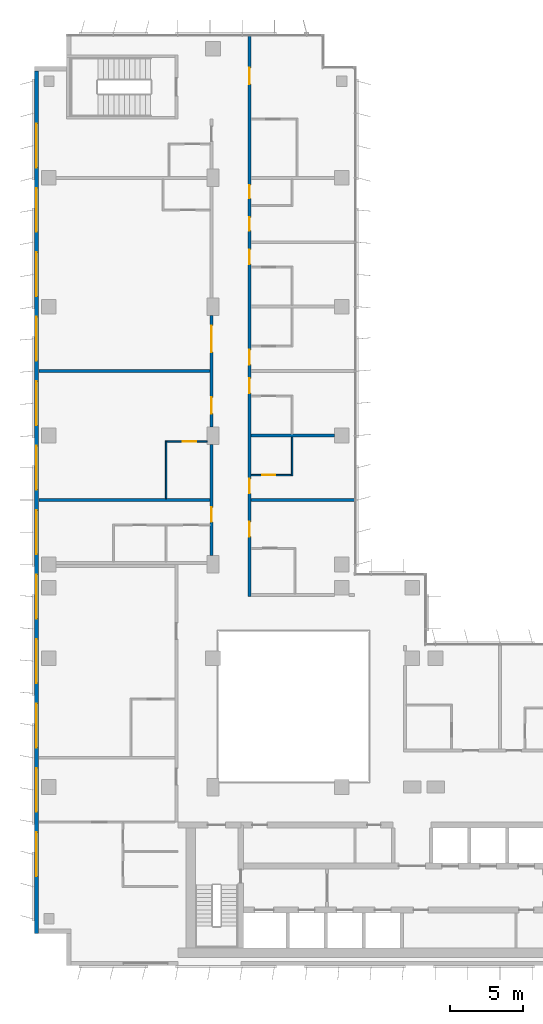
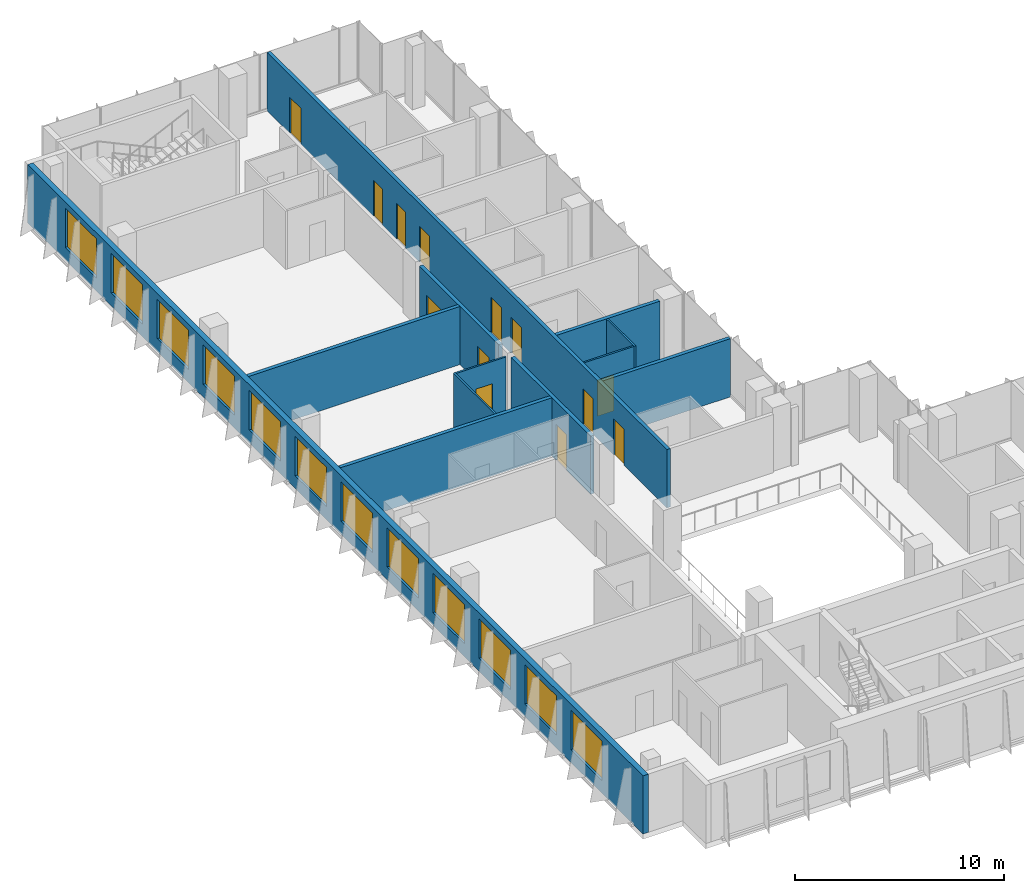
# One storey, part 16 of 21: 13 doors, 12 walls, 12 windows, 25 openings.
"""IFC4 building model written with IfcOpenShell, lengths in metres."""

from ifc_helpers import new_model, si_unit, direction, frame, frame_2d, origin, place, context, subcontext, project, spatial, rectangle, extrude, material, layer, layer_set, type_object, element, fill, save


model = new_model("IFC4")

# Units and contexts
model_context = context("Model", 3, precision=1e-05, world=origin(), true_north=direction((0.0, 1.0)))
body_context = subcontext(model_context, "Body", "Model", "MODEL_VIEW")
ifc_project = project(units=[si_unit("LENGTHUNIT", "METRE"), si_unit("AREAUNIT", "SQUARE_METRE"), si_unit("VOLUMEUNIT", "CUBIC_METRE"), si_unit("PLANEANGLEUNIT", "RADIAN"), si_unit("MASSUNIT", "GRAM", prefix="KILO")], contexts=[model_context])

# Site, building, storey
site_placement = place(None, origin())
site = spatial("IfcSite", under=ifc_project, at=site_placement, CompositionType="ELEMENT")
building_placement = place(site_placement, origin())
building = spatial("IfcBuilding", under=site, at=building_placement, Name="Kemantara Hotel Tower", CompositionType="ELEMENT")
storey_placement = place(building_placement, frame((0.0, 0.0, 215.39990234375)))
storey = spatial("IfcBuildingStorey", under=building, at=storey_placement, Name="L53", CompositionType="ELEMENT", Elevation=215.39990234375)

# Wall, openings, windows
ifc_material_1 = material(Name="Bronze anodised aluminium cladding on insulated steel stud wall", Category="steel")
ifc_layer_1 = layer(ifc_material_1, 0.300048828125)
ifc_layer_set_1 = layer_set([ifc_layer_1], Name="Bronze anodised aluminium cladding on insulated steel stud wall")
wall_type_1 = type_object("IfcWallType", Name="BRONZE METAL-CLAD EXTERNAL WALL 300", PredefinedType="STANDARD", material=ifc_layer_set_1)
wall_1_placement = place(storey_placement, frame((0.14990234375, 61.10009765625, 0.0), z_axis=(0.0, 0.0, 1.0), x_axis=(0.0, -1.0, 0.0)))
wall_1 = element("IfcWall", 1, at=wall_1_placement, inside=storey, type_object=wall_type_1, Name="EXTERNAL WALL L53 T3-R05", PredefinedType="STANDARD", context=body_context, shape_type="SweptSolid", body=[
    extrude(rectangle(XDim=58.900146484375, YDim=0.300048828125, at=frame_2d((29.4501953125, 0.0))), origin(), (0.0, 0.0, 1.0), 3.400146484375),
])
opening_1_placement = place(wall_1_placement, frame((3.60009765625, 0.0, 0.75)))
opening_1 = element("IfcOpeningElement", 2, at=opening_1_placement, cuts=wall_1, Name="Opening W1", PredefinedType="OPENING", context=body_context, shape_type="SweptSolid", body=[
    extrude(rectangle(XDim=3.0, YDim=2.300048828125, at=frame_2d((1.5, 1.14990234375))), frame((0.0, 0.159912109375, 0.0), z_axis=(0.0, -1.0, 0.0), x_axis=(1.0, 0.0, 0.0)), (0.0, 0.0, 1.0), 0.320068359375),
])
opening_2_placement = place(wall_1_placement, frame((8.0, 0.0, 0.75)))
opening_2 = element("IfcOpeningElement", 3, at=opening_2_placement, cuts=wall_1, Name="Opening W1", PredefinedType="OPENING", context=body_context, shape_type="SweptSolid", body=[
    extrude(rectangle(XDim=3.0, YDim=2.300048828125, at=frame_2d((1.5, 1.14990234375))), frame((0.0, 0.159912109375, 0.0), z_axis=(0.0, -1.0, 0.0), x_axis=(1.0, 0.0, 0.0)), (0.0, 0.0, 1.0), 0.320068359375),
])
opening_3_placement = place(wall_1_placement, frame((12.39990234375, 0.0, 0.75)))
opening_3 = element("IfcOpeningElement", 4, at=opening_3_placement, cuts=wall_1, Name="Opening W1", PredefinedType="OPENING", context=body_context, shape_type="SweptSolid", body=[
    extrude(rectangle(XDim=3.0, YDim=2.300048828125, at=frame_2d((1.5, 1.14990234375))), frame((0.0, 0.159912109375, 0.0), z_axis=(0.0, -1.0, 0.0), x_axis=(1.0, 0.0, 0.0)), (0.0, 0.0, 1.0), 0.320068359375),
])
opening_4_placement = place(wall_1_placement, frame((16.800048828125, 0.0, 0.75)))
opening_4 = element("IfcOpeningElement", 5, at=opening_4_placement, cuts=wall_1, Name="Opening W1", PredefinedType="OPENING", context=body_context, shape_type="SweptSolid", body=[
    extrude(rectangle(XDim=3.0, YDim=2.300048828125, at=frame_2d((1.5, 1.14990234375))), frame((0.0, 0.159912109375, 0.0), z_axis=(0.0, -1.0, 0.0), x_axis=(1.0, 0.0, 0.0)), (0.0, 0.0, 1.0), 0.320068359375),
])
opening_5_placement = place(wall_1_placement, frame((21.199951171875, 0.0, 0.75)))
opening_5 = element("IfcOpeningElement", 6, at=opening_5_placement, cuts=wall_1, Name="Opening W1", PredefinedType="OPENING", context=body_context, shape_type="SweptSolid", body=[
    extrude(rectangle(XDim=3.0, YDim=2.300048828125, at=frame_2d((1.5, 1.14990234375))), frame((0.0, 0.159912109375, 0.0), z_axis=(0.0, -1.0, 0.0), x_axis=(1.0, 0.0, 0.0)), (0.0, 0.0, 1.0), 0.320068359375),
])
opening_6_placement = place(wall_1_placement, frame((25.60009765625, 0.0, 0.75)))
opening_6 = element("IfcOpeningElement", 7, at=opening_6_placement, cuts=wall_1, Name="Opening W1", PredefinedType="OPENING", context=body_context, shape_type="SweptSolid", body=[
    extrude(rectangle(XDim=3.0, YDim=2.300048828125, at=frame_2d((1.5, 1.14990234375))), frame((0.0, 0.159912109375, 0.0), z_axis=(0.0, -1.0, 0.0), x_axis=(1.0, 0.0, 0.0)), (0.0, 0.0, 1.0), 0.320068359375),
])
opening_7_placement = place(wall_1_placement, frame((30.0, 0.0, 0.75)))
opening_7 = element("IfcOpeningElement", 8, at=opening_7_placement, cuts=wall_1, Name="Opening W1", PredefinedType="OPENING", context=body_context, shape_type="SweptSolid", body=[
    extrude(rectangle(XDim=3.0, YDim=2.300048828125, at=frame_2d((1.5, 1.14990234375))), frame((0.0, 0.159912109375, 0.0), z_axis=(0.0, -1.0, 0.0), x_axis=(1.0, 0.0, 0.0)), (0.0, 0.0, 1.0), 0.320068359375),
])
opening_8_placement = place(wall_1_placement, frame((34.39990234375, 0.0, 0.75)))
opening_8 = element("IfcOpeningElement", 9, at=opening_8_placement, cuts=wall_1, Name="Opening W1", PredefinedType="OPENING", context=body_context, shape_type="SweptSolid", body=[
    extrude(rectangle(XDim=3.0, YDim=2.300048828125, at=frame_2d((1.5, 1.14990234375))), frame((0.0, 0.159912109375, 0.0), z_axis=(0.0, -1.0, 0.0), x_axis=(1.0, 0.0, 0.0)), (0.0, 0.0, 1.0), 0.320068359375),
])
opening_9_placement = place(wall_1_placement, frame((38.800048828125, 0.0, 0.75)))
opening_9 = element("IfcOpeningElement", 10, at=opening_9_placement, cuts=wall_1, Name="Opening W1", PredefinedType="OPENING", context=body_context, shape_type="SweptSolid", body=[
    extrude(rectangle(XDim=3.0, YDim=2.300048828125, at=frame_2d((1.5, 1.14990234375))), frame((0.0, 0.159912109375, 0.0), z_axis=(0.0, -1.0, 0.0), x_axis=(1.0, 0.0, 0.0)), (0.0, 0.0, 1.0), 0.320068359375),
])
opening_10_placement = place(wall_1_placement, frame((43.199951171875, 0.0, 0.75)))
opening_10 = element("IfcOpeningElement", 11, at=opening_10_placement, cuts=wall_1, Name="Opening W1", PredefinedType="OPENING", context=body_context, shape_type="SweptSolid", body=[
    extrude(rectangle(XDim=3.0, YDim=2.300048828125, at=frame_2d((1.5, 1.14990234375))), frame((0.0, 0.159912109375, 0.0), z_axis=(0.0, -1.0, 0.0), x_axis=(1.0, 0.0, 0.0)), (0.0, 0.0, 1.0), 0.320068359375),
])
opening_11_placement = place(wall_1_placement, frame((47.60009765625, 0.0, 0.75)))
opening_11 = element("IfcOpeningElement", 12, at=opening_11_placement, cuts=wall_1, Name="Opening W1", PredefinedType="OPENING", context=body_context, shape_type="SweptSolid", body=[
    extrude(rectangle(XDim=3.0, YDim=2.300048828125, at=frame_2d((1.5, 1.14990234375))), frame((0.0, 0.159912109375, 0.0), z_axis=(0.0, -1.0, 0.0), x_axis=(1.0, 0.0, 0.0)), (0.0, 0.0, 1.0), 0.320068359375),
])
opening_12_placement = place(wall_1_placement, frame((52.0, 0.0, 0.75)))
opening_12 = element("IfcOpeningElement", 13, at=opening_12_placement, cuts=wall_1, Name="Opening W1", PredefinedType="OPENING", context=body_context, shape_type="SweptSolid", body=[
    extrude(rectangle(XDim=3.0, YDim=2.300048828125, at=frame_2d((1.5, 1.14990234375))), frame((0.0, 0.159912109375, 0.0), z_axis=(0.0, -1.0, 0.0), x_axis=(1.0, 0.0, 0.0)), (0.0, 0.0, 1.0), 0.320068359375),
])
ifc_material_2 = material(Name="Low-E tinted double insulated glass in bronze anodised aluminium frame", Category="aluminium")
window_type = type_object("IfcWindowType", Name="CHICAGO WINDOW, TRIPLE PANEL 3000x2300", PartitioningType="TRIPLE_PANEL_VERTICAL", PredefinedType="WINDOW", material=ifc_material_2)
window_1_placement = place(opening_1_placement, origin())
window_1 = element("IfcWindow", 14, at=window_1_placement, inside=storey, type_object=window_type, Name="CHICAGO WINDOW L53 T3-R05-54", OverallHeight=2.300048828125, OverallWidth=3.0, PartitioningType="SINGLE_PANEL", PredefinedType="WINDOW", context=body_context, shape_type="SweptSolid", body=[
    extrude(rectangle(XDim=3.0, YDim=2.300048828125, at=frame_2d((1.5, 1.14990234375))), frame((0.0, 0.030029296875, 0.0), z_axis=(0.0, -1.0, 0.0), x_axis=(1.0, 0.0, 0.0)), (0.0, 0.0, 1.0), 0.06005859375),
])
fill(opening_1, window_1)
window_2_placement = place(opening_2_placement, origin())
window_2 = element("IfcWindow", 15, at=window_2_placement, inside=storey, type_object=window_type, Name="CHICAGO WINDOW L53 T3-R05-98", OverallHeight=2.300048828125, OverallWidth=3.0, PartitioningType="SINGLE_PANEL", PredefinedType="WINDOW", context=body_context, shape_type="SweptSolid", body=[
    extrude(rectangle(XDim=3.0, YDim=2.300048828125, at=frame_2d((1.5, 1.14990234375))), frame((0.0, 0.030029296875, 0.0), z_axis=(0.0, -1.0, 0.0), x_axis=(1.0, 0.0, 0.0)), (0.0, 0.0, 1.0), 0.06005859375),
])
fill(opening_2, window_2)
window_3_placement = place(opening_3_placement, origin())
window_3 = element("IfcWindow", 16, at=window_3_placement, inside=storey, type_object=window_type, Name="CHICAGO WINDOW L53 T3-R05-142", OverallHeight=2.300048828125, OverallWidth=3.0, PartitioningType="SINGLE_PANEL", PredefinedType="WINDOW", context=body_context, shape_type="SweptSolid", body=[
    extrude(rectangle(XDim=3.0, YDim=2.300048828125, at=frame_2d((1.5, 1.14990234375))), frame((0.0, 0.030029296875, 0.0), z_axis=(0.0, -1.0, 0.0), x_axis=(1.0, 0.0, 0.0)), (0.0, 0.0, 1.0), 0.06005859375),
])
fill(opening_3, window_3)
window_4_placement = place(opening_4_placement, origin())
window_4 = element("IfcWindow", 17, at=window_4_placement, inside=storey, type_object=window_type, Name="CHICAGO WINDOW L53 T3-R05-186", OverallHeight=2.300048828125, OverallWidth=3.0, PartitioningType="SINGLE_PANEL", PredefinedType="WINDOW", context=body_context, shape_type="SweptSolid", body=[
    extrude(rectangle(XDim=3.0, YDim=2.300048828125, at=frame_2d((1.5, 1.14990234375))), frame((0.0, 0.030029296875, 0.0), z_axis=(0.0, -1.0, 0.0), x_axis=(1.0, 0.0, 0.0)), (0.0, 0.0, 1.0), 0.06005859375),
])
fill(opening_4, window_4)
window_5_placement = place(opening_5_placement, origin())
window_5 = element("IfcWindow", 18, at=window_5_placement, inside=storey, type_object=window_type, Name="CHICAGO WINDOW L53 T3-R05-230", OverallHeight=2.300048828125, OverallWidth=3.0, PartitioningType="SINGLE_PANEL", PredefinedType="WINDOW", context=body_context, shape_type="SweptSolid", body=[
    extrude(rectangle(XDim=3.0, YDim=2.300048828125, at=frame_2d((1.5, 1.14990234375))), frame((0.0, 0.030029296875, 0.0), z_axis=(0.0, -1.0, 0.0), x_axis=(1.0, 0.0, 0.0)), (0.0, 0.0, 1.0), 0.06005859375),
])
fill(opening_5, window_5)
window_6_placement = place(opening_6_placement, origin())
window_6 = element("IfcWindow", 19, at=window_6_placement, inside=storey, type_object=window_type, Name="CHICAGO WINDOW L53 T3-R05-274", OverallHeight=2.300048828125, OverallWidth=3.0, PartitioningType="SINGLE_PANEL", PredefinedType="WINDOW", context=body_context, shape_type="SweptSolid", body=[
    extrude(rectangle(XDim=3.0, YDim=2.300048828125, at=frame_2d((1.5, 1.14990234375))), frame((0.0, 0.030029296875, 0.0), z_axis=(0.0, -1.0, 0.0), x_axis=(1.0, 0.0, 0.0)), (0.0, 0.0, 1.0), 0.06005859375),
])
fill(opening_6, window_6)
window_7_placement = place(opening_7_placement, origin())
window_7 = element("IfcWindow", 20, at=window_7_placement, inside=storey, type_object=window_type, Name="CHICAGO WINDOW L53 T3-R05-318", OverallHeight=2.300048828125, OverallWidth=3.0, PartitioningType="SINGLE_PANEL", PredefinedType="WINDOW", context=body_context, shape_type="SweptSolid", body=[
    extrude(rectangle(XDim=3.0, YDim=2.300048828125, at=frame_2d((1.5, 1.14990234375))), frame((0.0, 0.030029296875, 0.0), z_axis=(0.0, -1.0, 0.0), x_axis=(1.0, 0.0, 0.0)), (0.0, 0.0, 1.0), 0.06005859375),
])
fill(opening_7, window_7)
window_8_placement = place(opening_8_placement, origin())
window_8 = element("IfcWindow", 21, at=window_8_placement, inside=storey, type_object=window_type, Name="CHICAGO WINDOW L53 T3-R05-362", OverallHeight=2.300048828125, OverallWidth=3.0, PartitioningType="SINGLE_PANEL", PredefinedType="WINDOW", context=body_context, shape_type="SweptSolid", body=[
    extrude(rectangle(XDim=3.0, YDim=2.300048828125, at=frame_2d((1.5, 1.14990234375))), frame((0.0, 0.030029296875, 0.0), z_axis=(0.0, -1.0, 0.0), x_axis=(1.0, 0.0, 0.0)), (0.0, 0.0, 1.0), 0.06005859375),
])
fill(opening_8, window_8)
window_9_placement = place(opening_9_placement, origin())
window_9 = element("IfcWindow", 22, at=window_9_placement, inside=storey, type_object=window_type, Name="CHICAGO WINDOW L53 T3-R05-406", OverallHeight=2.300048828125, OverallWidth=3.0, PartitioningType="SINGLE_PANEL", PredefinedType="WINDOW", context=body_context, shape_type="SweptSolid", body=[
    extrude(rectangle(XDim=3.0, YDim=2.300048828125, at=frame_2d((1.5, 1.14990234375))), frame((0.0, 0.030029296875, 0.0), z_axis=(0.0, -1.0, 0.0), x_axis=(1.0, 0.0, 0.0)), (0.0, 0.0, 1.0), 0.06005859375),
])
fill(opening_9, window_9)
window_10_placement = place(opening_10_placement, origin())
window_10 = element("IfcWindow", 23, at=window_10_placement, inside=storey, type_object=window_type, Name="CHICAGO WINDOW L53 T3-R05-450", OverallHeight=2.300048828125, OverallWidth=3.0, PartitioningType="SINGLE_PANEL", PredefinedType="WINDOW", context=body_context, shape_type="SweptSolid", body=[
    extrude(rectangle(XDim=3.0, YDim=2.300048828125, at=frame_2d((1.5, 1.14990234375))), frame((0.0, 0.030029296875, 0.0), z_axis=(0.0, -1.0, 0.0), x_axis=(1.0, 0.0, 0.0)), (0.0, 0.0, 1.0), 0.06005859375),
])
fill(opening_10, window_10)
window_11_placement = place(opening_11_placement, origin())
window_11 = element("IfcWindow", 24, at=window_11_placement, inside=storey, type_object=window_type, Name="CHICAGO WINDOW L53 T3-R05-494", OverallHeight=2.300048828125, OverallWidth=3.0, PartitioningType="SINGLE_PANEL", PredefinedType="WINDOW", context=body_context, shape_type="SweptSolid", body=[
    extrude(rectangle(XDim=3.0, YDim=2.300048828125, at=frame_2d((1.5, 1.14990234375))), frame((0.0, 0.030029296875, 0.0), z_axis=(0.0, -1.0, 0.0), x_axis=(1.0, 0.0, 0.0)), (0.0, 0.0, 1.0), 0.06005859375),
])
fill(opening_11, window_11)
window_12_placement = place(opening_12_placement, origin())
window_12 = element("IfcWindow", 25, at=window_12_placement, inside=storey, type_object=window_type, Name="CHICAGO WINDOW L53 T3-R05-538", OverallHeight=2.300048828125, OverallWidth=3.0, PartitioningType="SINGLE_PANEL", PredefinedType="WINDOW", context=body_context, shape_type="SweptSolid", body=[
    extrude(rectangle(XDim=3.0, YDim=2.300048828125, at=frame_2d((1.5, 1.14990234375))), frame((0.0, 0.030029296875, 0.0), z_axis=(0.0, -1.0, 0.0), x_axis=(1.0, 0.0, 0.0)), (0.0, 0.0, 1.0), 0.06005859375),
])
fill(opening_12, window_12)

# Wall, opening, door
ifc_material_3 = material(Name="Gypsum board partition, steel studs and mineral wool, 200 mm", Category="steel")
ifc_layer_2 = layer(ifc_material_3, 0.199951171875)
ifc_layer_set_2 = layer_set([ifc_layer_2], Name="Gypsum board partition, steel studs and mineral wool, 200 mm")
wall_type_2 = type_object("IfcWallType", Name="CORRIDOR WALL 200", PredefinedType="PARTITIONING", material=ifc_layer_set_2)
wall_2_placement = place(storey_placement, frame((12.10009765625, 28.0, 0.0), z_axis=(0.0, 0.0, 1.0), x_axis=(0.0, 1.0, 0.0)))
wall_2 = element("IfcWall", 26, at=wall_2_placement, inside=storey, type_object=wall_type_2, Name="CORRIDOR WALL 200 017", PredefinedType="PARTITIONING", context=body_context, shape_type="SweptSolid", body=[
    extrude(rectangle(XDim=7.599853515625, YDim=0.199951171875, at=frame_2d((3.7998046875, 0.0))), origin(), (0.0, 0.0, 1.0), 3.400146484375),
])
opening_13_placement = place(wall_2_placement, frame((2.2998046875, 0.0, 0.0)))
opening_13 = element("IfcOpeningElement", 27, at=opening_13_placement, cuts=wall_2, Name="Opening F26-025", PredefinedType="OPENING", context=body_context, shape_type="SweptSolid", body=[
    extrude(rectangle(XDim=1.0, YDim=2.10009765625, at=frame_2d((0.5, 1.050048828125))), frame((0.0, 0.10986328125, 0.0), z_axis=(0.0, -1.0, 0.0), x_axis=(1.0, 0.0, 0.0)), (0.0, 0.0, 1.0), 0.219970703125),
])
ifc_material_4 = material(Name="Hardwood veneer door leaf with steel frame", Category="steel")
door_type_1 = type_object("IfcDoorType", Name="GUEST ROOM DOOR 1000 X 2100 FD30S", OperationType="NOTDEFINED", PredefinedType="DOOR", material=ifc_material_4)
door_1_placement = place(opening_13_placement, origin())
door_1 = element("IfcDoor", 28, at=door_1_placement, inside=storey, type_object=door_type_1, Name="GUEST ROOM DOOR F26-025", OperationType="SINGLE_SWING_RIGHT", OverallHeight=2.10009765625, OverallWidth=1.0, PredefinedType="DOOR", context=body_context, shape_type="SweptSolid", body=[
    extrude(rectangle(XDim=1.0, YDim=2.10009765625, at=frame_2d((0.5, 1.050048828125))), frame((0.0, 0.02490234375, 0.0), z_axis=(0.0, -1.0, 0.0), x_axis=(1.0, 0.0, 0.0)), (0.0, 0.0, 1.0), 0.050048828125),
])
fill(opening_13, door_1)

# Wall, openings, doors
wall_3_placement = place(storey_placement, frame((12.10009765625, 36.800048828125, 0.0), z_axis=(0.0, 0.0, 1.0), x_axis=(0.0, 1.0, 0.0)))
wall_3 = element("IfcWall", 29, at=wall_3_placement, inside=storey, type_object=wall_type_2, Name="CORRIDOR WALL 200 018", PredefinedType="PARTITIONING", context=body_context, shape_type="SweptSolid", body=[
    extrude(rectangle(XDim=7.599853515625, YDim=0.199951171875, at=frame_2d((3.7998046875, 0.0))), origin(), (0.0, 0.0, 1.0), 3.400146484375),
])
opening_14_placement = place(wall_3_placement, frame((0.89990234375, 0.0, 0.0)))
opening_14 = element("IfcOpeningElement", 30, at=opening_14_placement, cuts=wall_3, Name="Opening F26-028", PredefinedType="OPENING", context=body_context, shape_type="SweptSolid", body=[
    extrude(rectangle(XDim=1.10009765625, YDim=2.10009765625, at=frame_2d((0.550048828125, 1.050048828125))), frame((0.0, 0.10986328125, 0.0), z_axis=(0.0, -1.0, 0.0), x_axis=(1.0, 0.0, 0.0)), (0.0, 0.0, 1.0), 0.219970703125),
])
opening_15_placement = place(wall_3_placement, frame((5.099853515625, 0.0, 0.0)))
opening_15 = element("IfcOpeningElement", 31, at=opening_15_placement, cuts=wall_3, Name="Opening F26-030", PredefinedType="OPENING", context=body_context, shape_type="SweptSolid", body=[
    extrude(rectangle(XDim=1.800048828125, YDim=2.10009765625, at=frame_2d((0.89990234375, 1.050048828125))), frame((0.0, 0.10986328125, 0.0), z_axis=(0.0, -1.0, 0.0), x_axis=(1.0, 0.0, 0.0)), (0.0, 0.0, 1.0), 0.219970703125),
])
door_type_2 = type_object("IfcDoorType", Name="GUEST ROOM DOOR 1800 X 2100 FD30S", OperationType="NOTDEFINED", PredefinedType="DOOR", material=ifc_material_4)
door_2_placement = place(opening_15_placement, origin())
door_2 = element("IfcDoor", 32, at=door_2_placement, inside=storey, type_object=door_type_2, Name="GUEST ROOM DOOR F26-030", OperationType="DOUBLE_DOOR_SINGLE_SWING", OverallHeight=2.10009765625, OverallWidth=1.800048828125, PredefinedType="DOOR", context=body_context, shape_type="SweptSolid", body=[
    extrude(rectangle(XDim=1.800048828125, YDim=2.10009765625, at=frame_2d((0.89990234375, 1.050048828125))), frame((0.0, 0.02490234375, 0.0), z_axis=(0.0, -1.0, 0.0), x_axis=(1.0, 0.0, 0.0)), (0.0, 0.0, 1.0), 0.050048828125),
])
fill(opening_15, door_2)
door_type_3 = type_object("IfcDoorType", Name="SUITE ENTRANCE DOOR 1100 X 2100 FD30S", OperationType="NOTDEFINED", PredefinedType="DOOR", material=ifc_material_4)
door_3_placement = place(opening_14_placement, origin())
door_3 = element("IfcDoor", 33, at=door_3_placement, inside=storey, type_object=door_type_3, Name="SUITE ENTRANCE DOOR F26-028", OperationType="SINGLE_SWING_RIGHT", OverallHeight=2.10009765625, OverallWidth=1.10009765625, PredefinedType="DOOR", context=body_context, shape_type="SweptSolid", body=[
    extrude(rectangle(XDim=1.10009765625, YDim=2.10009765625, at=frame_2d((0.550048828125, 1.050048828125))), frame((0.0, 0.02490234375, 0.0), z_axis=(0.0, -1.0, 0.0), x_axis=(1.0, 0.0, 0.0)), (0.0, 0.0, 1.0), 0.050048828125),
])
fill(opening_14, door_3)

wall_4_placement = place(storey_placement, frame((14.699951171875, 63.47998046875, 0.0), z_axis=(0.0, 0.0, 1.0), x_axis=(0.0, -1.0, 0.0)))
wall_4 = element("IfcWall", 34, at=wall_4_placement, inside=storey, type_object=wall_type_2, Name="CORRIDOR WALL 200 028", PredefinedType="PARTITIONING", context=body_context, shape_type="SweptSolid", body=[
    extrude(rectangle(XDim=38.280029296875, YDim=0.199951171875, at=frame_2d((19.14013671875, 0.0))), origin(), (0.0, 0.0, 1.0), 3.400146484375),
])
opening_16_placement = place(wall_4_placement, frame((33.179931640625, 0.0, 0.0)))
opening_16 = element("IfcOpeningElement", 35, at=opening_16_placement, cuts=wall_4, Name="Opening F26-034", PredefinedType="OPENING", context=body_context, shape_type="SweptSolid", body=[
    extrude(rectangle(XDim=1.0, YDim=2.10009765625, at=frame_2d((0.5, 1.050048828125))), frame((0.0, 0.10986328125, 0.0), z_axis=(0.0, -1.0, 0.0), x_axis=(1.0, 0.0, 0.0)), (0.0, 0.0, 1.0), 0.219970703125),
])
opening_17_placement = place(wall_4_placement, frame((30.22998046875, 0.0, 0.0)))
opening_17 = element("IfcOpeningElement", 36, at=opening_17_placement, cuts=wall_4, Name="Opening F26-036", PredefinedType="OPENING", context=body_context, shape_type="SweptSolid", body=[
    extrude(rectangle(XDim=1.0, YDim=2.10009765625, at=frame_2d((0.5, 1.050048828125))), frame((0.0, 0.10986328125, 0.0), z_axis=(0.0, -1.0, 0.0), x_axis=(1.0, 0.0, 0.0)), (0.0, 0.0, 1.0), 0.219970703125),
])
opening_18_placement = place(wall_4_placement, frame((23.3798828125, 0.0, 0.0)))
opening_18 = element("IfcOpeningElement", 37, at=opening_18_placement, cuts=wall_4, Name="Opening F26-038", PredefinedType="OPENING", context=body_context, shape_type="SweptSolid", body=[
    extrude(rectangle(XDim=1.0, YDim=2.10009765625, at=frame_2d((0.5, 1.050048828125))), frame((0.0, 0.10986328125, 0.0), z_axis=(0.0, -1.0, 0.0), x_axis=(1.0, 0.0, 0.0)), (0.0, 0.0, 1.0), 0.219970703125),
])
opening_19_placement = place(wall_4_placement, frame((21.429931640625, 0.0, 0.0)))
opening_19 = element("IfcOpeningElement", 38, at=opening_19_placement, cuts=wall_4, Name="Opening F26-040", PredefinedType="OPENING", context=body_context, shape_type="SweptSolid", body=[
    extrude(rectangle(XDim=1.0, YDim=2.10009765625, at=frame_2d((0.5, 1.050048828125))), frame((0.0, 0.10986328125, 0.0), z_axis=(0.0, -1.0, 0.0), x_axis=(1.0, 0.0, 0.0)), (0.0, 0.0, 1.0), 0.219970703125),
])
opening_20_placement = place(wall_4_placement, frame((14.579833984375, 0.0, 0.0)))
opening_20 = element("IfcOpeningElement", 39, at=opening_20_placement, cuts=wall_4, Name="Opening F26-042", PredefinedType="OPENING", context=body_context, shape_type="SweptSolid", body=[
    extrude(rectangle(XDim=1.0, YDim=2.10009765625, at=frame_2d((0.5, 1.050048828125))), frame((0.0, 0.10986328125, 0.0), z_axis=(0.0, -1.0, 0.0), x_axis=(1.0, 0.0, 0.0)), (0.0, 0.0, 1.0), 0.219970703125),
])
opening_21_placement = place(wall_4_placement, frame((12.3798828125, 0.0, 0.0)))
opening_21 = element("IfcOpeningElement", 40, at=opening_21_placement, cuts=wall_4, Name="Opening F26-044", PredefinedType="OPENING", context=body_context, shape_type="SweptSolid", body=[
    extrude(rectangle(XDim=0.89990234375, YDim=2.10009765625, at=frame_2d((0.449951171875, 1.050048828125))), frame((0.0, 0.10986328125, 0.0), z_axis=(0.0, -1.0, 0.0), x_axis=(1.0, 0.0, 0.0)), (0.0, 0.0, 1.0), 0.219970703125),
])
opening_22_placement = place(wall_4_placement, frame((10.179931640625, 0.0, 0.0)))
opening_22 = element("IfcOpeningElement", 41, at=opening_22_placement, cuts=wall_4, Name="Opening F26-045", PredefinedType="OPENING", context=body_context, shape_type="SweptSolid", body=[
    extrude(rectangle(XDim=0.89990234375, YDim=2.10009765625, at=frame_2d((0.449951171875, 1.050048828125))), frame((0.0, 0.10986328125, 0.0), z_axis=(0.0, -1.0, 0.0), x_axis=(1.0, 0.0, 0.0)), (0.0, 0.0, 1.0), 0.219970703125),
])
opening_23_placement = place(wall_4_placement, frame((2.179931640625, 0.0, 0.0)))
opening_23 = element("IfcOpeningElement", 42, at=opening_23_placement, cuts=wall_4, Name="Opening F26-046", PredefinedType="OPENING", context=body_context, shape_type="SweptSolid", body=[
    extrude(rectangle(XDim=1.10009765625, YDim=2.10009765625, at=frame_2d((0.550048828125, 1.050048828125))), frame((0.0, 0.10986328125, 0.0), z_axis=(0.0, -1.0, 0.0), x_axis=(1.0, 0.0, 0.0)), (0.0, 0.0, 1.0), 0.219970703125),
])
door_4_placement = place(opening_16_placement, origin())
door_4 = element("IfcDoor", 43, at=door_4_placement, inside=storey, type_object=door_type_1, Name="GUEST ROOM DOOR F26-034", OperationType="SINGLE_SWING_LEFT", OverallHeight=2.10009765625, OverallWidth=1.0, PredefinedType="DOOR", context=body_context, shape_type="SweptSolid", body=[
    extrude(rectangle(XDim=1.0, YDim=2.10009765625, at=frame_2d((0.5, 1.050048828125))), frame((0.0, 0.02490234375, 0.0), z_axis=(0.0, -1.0, 0.0), x_axis=(1.0, 0.0, 0.0)), (0.0, 0.0, 1.0), 0.050048828125),
])
fill(opening_16, door_4)
door_5_placement = place(opening_17_placement, origin())
door_5 = element("IfcDoor", 44, at=door_5_placement, inside=storey, type_object=door_type_1, Name="GUEST ROOM DOOR F26-036", OperationType="SINGLE_SWING_RIGHT", OverallHeight=2.10009765625, OverallWidth=1.0, PredefinedType="DOOR", context=body_context, shape_type="SweptSolid", body=[
    extrude(rectangle(XDim=1.0, YDim=2.10009765625, at=frame_2d((0.5, 1.050048828125))), frame((0.0, 0.02490234375, 0.0), z_axis=(0.0, -1.0, 0.0), x_axis=(1.0, 0.0, 0.0)), (0.0, 0.0, 1.0), 0.050048828125),
])
fill(opening_17, door_5)
door_6_placement = place(opening_18_placement, origin())
door_6 = element("IfcDoor", 45, at=door_6_placement, inside=storey, type_object=door_type_1, Name="GUEST ROOM DOOR F26-038", OperationType="SINGLE_SWING_LEFT", OverallHeight=2.10009765625, OverallWidth=1.0, PredefinedType="DOOR", context=body_context, shape_type="SweptSolid", body=[
    extrude(rectangle(XDim=1.0, YDim=2.10009765625, at=frame_2d((0.5, 1.050048828125))), frame((0.0, 0.02490234375, 0.0), z_axis=(0.0, -1.0, 0.0), x_axis=(1.0, 0.0, 0.0)), (0.0, 0.0, 1.0), 0.050048828125),
])
fill(opening_18, door_6)
door_7_placement = place(opening_19_placement, origin())
door_7 = element("IfcDoor", 46, at=door_7_placement, inside=storey, type_object=door_type_1, Name="GUEST ROOM DOOR F26-040", OperationType="SINGLE_SWING_RIGHT", OverallHeight=2.10009765625, OverallWidth=1.0, PredefinedType="DOOR", context=body_context, shape_type="SweptSolid", body=[
    extrude(rectangle(XDim=1.0, YDim=2.10009765625, at=frame_2d((0.5, 1.050048828125))), frame((0.0, 0.02490234375, 0.0), z_axis=(0.0, -1.0, 0.0), x_axis=(1.0, 0.0, 0.0)), (0.0, 0.0, 1.0), 0.050048828125),
])
fill(opening_19, door_7)
door_8_placement = place(opening_20_placement, origin())
door_8 = element("IfcDoor", 47, at=door_8_placement, inside=storey, type_object=door_type_1, Name="GUEST ROOM DOOR F26-042", OperationType="SINGLE_SWING_LEFT", OverallHeight=2.10009765625, OverallWidth=1.0, PredefinedType="DOOR", context=body_context, shape_type="SweptSolid", body=[
    extrude(rectangle(XDim=1.0, YDim=2.10009765625, at=frame_2d((0.5, 1.050048828125))), frame((0.0, 0.02490234375, 0.0), z_axis=(0.0, -1.0, 0.0), x_axis=(1.0, 0.0, 0.0)), (0.0, 0.0, 1.0), 0.050048828125),
])
fill(opening_20, door_8)
ifc_material_5 = material(Name="Steel door leaf with steel frame", Category="steel")
door_type_4 = type_object("IfcDoorType", Name="SERVICE ROOM DOOR 900 X 2100 FD60", OperationType="NOTDEFINED", PredefinedType="DOOR", material=ifc_material_5)
door_9_placement = place(opening_21_placement, origin())
door_9 = element("IfcDoor", 48, at=door_9_placement, inside=storey, type_object=door_type_4, Name="SERVICE ROOM DOOR F26-044", OperationType="SINGLE_SWING_RIGHT", OverallHeight=2.10009765625, OverallWidth=0.89990234375, PredefinedType="DOOR", context=body_context, shape_type="SweptSolid", body=[
    extrude(rectangle(XDim=0.89990234375, YDim=2.10009765625, at=frame_2d((0.449951171875, 1.050048828125))), frame((0.0, 0.02490234375, 0.0), z_axis=(0.0, -1.0, 0.0), x_axis=(1.0, 0.0, 0.0)), (0.0, 0.0, 1.0), 0.050048828125),
])
fill(opening_21, door_9)
door_10_placement = place(opening_22_placement, origin())
door_10 = element("IfcDoor", 49, at=door_10_placement, inside=storey, type_object=door_type_4, Name="SERVICE ROOM DOOR F26-045", OperationType="SINGLE_SWING_LEFT", OverallHeight=2.10009765625, OverallWidth=0.89990234375, PredefinedType="DOOR", context=body_context, shape_type="SweptSolid", body=[
    extrude(rectangle(XDim=0.89990234375, YDim=2.10009765625, at=frame_2d((0.449951171875, 1.050048828125))), frame((0.0, 0.02490234375, 0.0), z_axis=(0.0, -1.0, 0.0), x_axis=(1.0, 0.0, 0.0)), (0.0, 0.0, 1.0), 0.050048828125),
])
fill(opening_22, door_10)
door_11_placement = place(opening_23_placement, origin())
door_11 = element("IfcDoor", 50, at=door_11_placement, inside=storey, type_object=door_type_3, Name="SUITE ENTRANCE DOOR F26-046", OperationType="SINGLE_SWING_LEFT", OverallHeight=2.10009765625, OverallWidth=1.10009765625, PredefinedType="DOOR", context=body_context, shape_type="SweptSolid", body=[
    extrude(rectangle(XDim=1.10009765625, YDim=2.10009765625, at=frame_2d((0.550048828125, 1.050048828125))), frame((0.0, 0.02490234375, 0.0), z_axis=(0.0, -1.0, 0.0), x_axis=(1.0, 0.0, 0.0)), (0.0, 0.0, 1.0), 0.050048828125),
])
fill(opening_23, door_11)

# Walls
ifc_layer_3 = layer(ifc_material_3, 0.199951171875)
ifc_layer_set_3 = layer_set([ifc_layer_3], Name="Gypsum board partition, steel studs and mineral wool, 200 mm")
wall_type_3 = type_object("IfcWallType", Name="GUEST ROOM PARTY WALL 200", PredefinedType="PARTITIONING", material=ifc_layer_set_3)
wall_5_placement = place(storey_placement, frame((0.31005859375, 31.800048828125, 0.0), z_axis=(0.0, 0.0, 1.0), x_axis=(1.0, 0.0, 0.0)))
element("IfcWall", 51, at=wall_5_placement, inside=storey, type_object=wall_type_3, Name="GUEST ROOM PARTY WALL 200 022", PredefinedType="PARTITIONING", context=body_context, shape_type="SweptSolid", body=[
    extrude(rectangle(XDim=11.68994140625, YDim=0.199951171875, at=frame_2d((5.844970703125, 0.0))), origin(), (0.0, 0.0, 1.0), 3.400146484375),
])
wall_6_placement = place(storey_placement, frame((14.800048828125, 31.800048828125, 0.0), z_axis=(0.0, 0.0, 1.0), x_axis=(1.0, 0.0, 0.0)))
element("IfcWall", 52, at=wall_6_placement, inside=storey, type_object=wall_type_3, Name="GUEST ROOM PARTY WALL 200 023", PredefinedType="PARTITIONING", context=body_context, shape_type="SweptSolid", body=[
    extrude(rectangle(XDim=7.070068359375, YDim=0.199951171875, at=frame_2d((3.53515625, 0.0))), origin(), (0.0, 0.0, 1.0), 3.400146484375),
])
wall_7_placement = place(storey_placement, frame((0.31005859375, 40.60009765625, 0.0), z_axis=(0.0, 0.0, 1.0), x_axis=(1.0, 0.0, 0.0)))
element("IfcWall", 53, at=wall_7_placement, inside=storey, type_object=wall_type_3, Name="GUEST ROOM PARTY WALL 200 024", PredefinedType="PARTITIONING", context=body_context, shape_type="SweptSolid", body=[
    extrude(rectangle(XDim=11.68994140625, YDim=0.199951171875, at=frame_2d((5.844970703125, 0.0))), origin(), (0.0, 0.0, 1.0), 3.400146484375),
])
wall_8_placement = place(storey_placement, frame((14.800048828125, 36.199951171875, 0.0), z_axis=(0.0, 0.0, 1.0), x_axis=(1.0, 0.0, 0.0)))
element("IfcWall", 54, at=wall_8_placement, inside=storey, type_object=wall_type_3, Name="GUEST ROOM PARTY WALL 200 031", PredefinedType="PARTITIONING", context=body_context, shape_type="SweptSolid", body=[
    extrude(rectangle(XDim=5.699951171875, YDim=0.199951171875, at=frame_2d((2.85009765625, 0.0))), origin(), (0.0, 0.0, 1.0), 3.400146484375),
])
ifc_material_6 = material(Name="Gypsum board partition on steel studs, 100 mm", Category="steel")
ifc_layer_4 = layer(ifc_material_6, 0.10009765625)
ifc_layer_set_4 = layer_set([ifc_layer_4], Name="Gypsum board partition on steel studs, 100 mm")
wall_type_4 = type_object("IfcWallType", Name="ROOM PARTITION 100", PredefinedType="PARTITIONING", material=ifc_layer_set_4)
wall_9_placement = place(storey_placement, frame((9.0, 31.89990234375, 0.0), z_axis=(0.0, 0.0, 1.0), x_axis=(0.0, 1.0, 0.0)))
element("IfcWall", 55, at=wall_9_placement, inside=storey, type_object=wall_type_4, Name="ROOM PARTITION 100 062", PredefinedType="PARTITIONING", context=body_context, shape_type="SweptSolid", body=[
    extrude(rectangle(XDim=3.9501953125, YDim=0.10009765625, at=frame_2d((1.97509765625, 0.0))), origin(), (0.0, 0.0, 1.0), 3.400146484375),
])

# Wall, opening, door
wall_10_placement = place(storey_placement, frame((11.7998046875, 35.800048828125, 0.0), z_axis=(0.0, 0.0, 1.0), x_axis=(-1.0, 0.0, 0.0)))
wall_10 = element("IfcWall", 56, at=wall_10_placement, inside=storey, type_object=wall_type_4, Name="ROOM PARTITION 100 064", PredefinedType="PARTITIONING", context=body_context, shape_type="SweptSolid", body=[
    extrude(rectangle(XDim=2.749755859375, YDim=0.10009765625, at=frame_2d((1.375, 0.0))), origin(), (0.0, 0.0, 1.0), 3.400146484375),
])
opening_24_placement = place(wall_10_placement, frame((0.75, 0.0, 0.0)))
opening_24 = element("IfcOpeningElement", 57, at=opening_24_placement, cuts=wall_10, Name="Opening F26-029", PredefinedType="OPENING", context=body_context, shape_type="SweptSolid", body=[
    extrude(rectangle(XDim=0.89990234375, YDim=2.10009765625, at=frame_2d((0.449951171875, 1.050048828125))), frame((0.0, 0.06005859375, 0.0), z_axis=(0.0, -1.0, 0.0), x_axis=(1.0, 0.0, 0.0)), (0.0, 0.0, 1.0), 0.1201171875),
])
door_type_5 = type_object("IfcDoorType", Name="BATHROOM DOOR 900 X 2100", OperationType="NOTDEFINED", PredefinedType="DOOR", material=ifc_material_4)
door_12_placement = place(opening_24_placement, origin())
door_12 = element("IfcDoor", 58, at=door_12_placement, inside=storey, type_object=door_type_5, Name="BATHROOM DOOR F26-029", OperationType="SINGLE_SWING_LEFT", OverallHeight=2.10009765625, OverallWidth=0.89990234375, PredefinedType="DOOR", context=body_context, shape_type="SweptSolid", body=[
    extrude(rectangle(XDim=0.89990234375, YDim=2.10009765625, at=frame_2d((0.449951171875, 1.050048828125))), frame((0.0, 0.02490234375, 0.0), z_axis=(0.0, -1.0, 0.0), x_axis=(1.0, 0.0, 0.0)), (0.0, 0.0, 1.0), 0.050048828125),
])
fill(opening_24, door_12)

# Wall
wall_11_placement = place(storey_placement, frame((17.60009765625, 33.449951171875, 0.0), z_axis=(0.0, 0.0, 1.0), x_axis=(0.0, 1.0, 0.0)))
element("IfcWall", 59, at=wall_11_placement, inside=storey, type_object=wall_type_4, Name="ROOM PARTITION 100 071", PredefinedType="PARTITIONING", context=body_context, shape_type="SweptSolid", body=[
    extrude(rectangle(XDim=2.650146484375, YDim=0.10009765625, at=frame_2d((1.3251953125, 0.0))), origin(), (0.0, 0.0, 1.0), 3.400146484375),
])

# Wall, opening, door
wall_12_placement = place(storey_placement, frame((14.800048828125, 33.5, 0.0), z_axis=(0.0, 0.0, 1.0), x_axis=(1.0, 0.0, 0.0)))
wall_12 = element("IfcWall", 60, at=wall_12_placement, inside=storey, type_object=wall_type_4, Name="ROOM PARTITION 100 076", PredefinedType="PARTITIONING", context=body_context, shape_type="SweptSolid", body=[
    extrude(rectangle(XDim=2.75, YDim=0.10009765625, at=frame_2d((1.375, 0.0))), origin(), (0.0, 0.0, 1.0), 3.400146484375),
])
opening_25_placement = place(wall_12_placement, frame((0.75, 0.0, 0.0)))
opening_25 = element("IfcOpeningElement", 61, at=opening_25_placement, cuts=wall_12, Name="Opening F26-037", PredefinedType="OPENING", context=body_context, shape_type="SweptSolid", body=[
    extrude(rectangle(XDim=0.89990234375, YDim=2.10009765625, at=frame_2d((0.449951171875, 1.050048828125))), frame((0.0, 0.06005859375, 0.0), z_axis=(0.0, -1.0, 0.0), x_axis=(1.0, 0.0, 0.0)), (0.0, 0.0, 1.0), 0.1201171875),
])
door_13_placement = place(opening_25_placement, origin())
door_13 = element("IfcDoor", 62, at=door_13_placement, inside=storey, type_object=door_type_5, Name="BATHROOM DOOR F26-037", OperationType="SINGLE_SWING_LEFT", OverallHeight=2.10009765625, OverallWidth=0.89990234375, PredefinedType="DOOR", context=body_context, shape_type="SweptSolid", body=[
    extrude(rectangle(XDim=0.89990234375, YDim=2.10009765625, at=frame_2d((0.449951171875, 1.050048828125))), frame((0.0, 0.02490234375, 0.0), z_axis=(0.0, -1.0, 0.0), x_axis=(1.0, 0.0, 0.0)), (0.0, 0.0, 1.0), 0.050048828125),
])
fill(opening_25, door_13)

save(model, "model.ifc")
